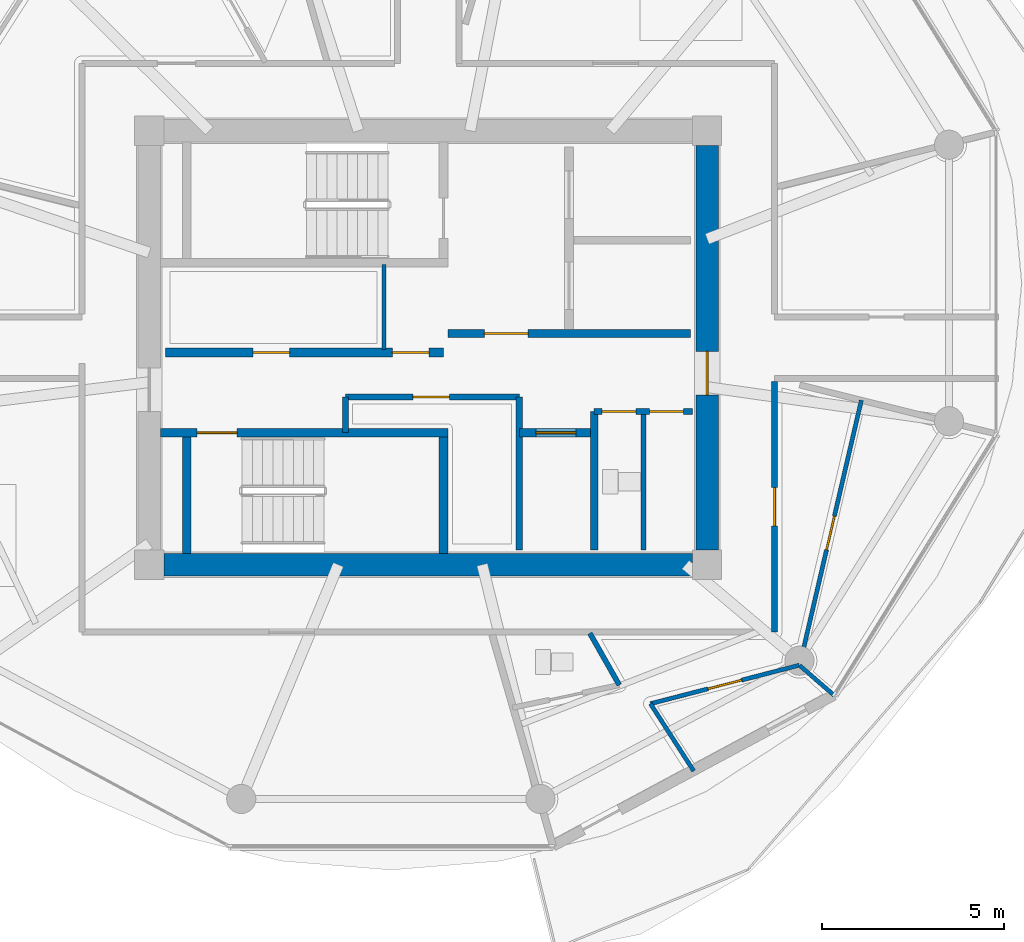
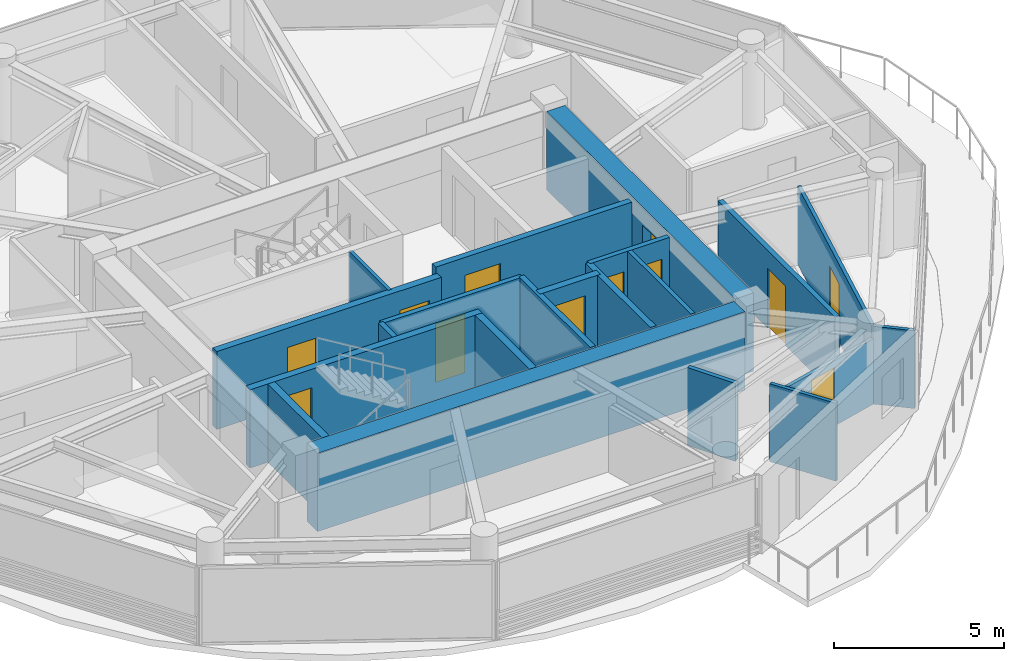
# One storey, part 16 of 25: 21 walls, 12 doors, 12 openings.
"""IFC4 building model written with IfcOpenShell, lengths in metres."""

from ifc_helpers import new_model, si_unit, direction, frame, frame_2d, origin, place, context, subcontext, project, spatial, rectangle, extrude, source, transform, mapped, material, layer, layer_set, type_object, type_shapes, element, fill, save


model = new_model("IFC4")

# Units and contexts
model_context = context("Model", 3, precision=1e-05, world=origin(), true_north=direction((0.0, 1.0)))
body_context = subcontext(model_context, "Body", "Model", "MODEL_VIEW")
ifc_project = project(units=[si_unit("LENGTHUNIT", "METRE"), si_unit("AREAUNIT", "SQUARE_METRE"), si_unit("VOLUMEUNIT", "CUBIC_METRE"), si_unit("PLANEANGLEUNIT", "RADIAN"), si_unit("MASSUNIT", "GRAM", prefix="KILO")], contexts=[model_context])

# Site, building, storey
site_placement = place(None, origin())
site = spatial("IfcSite", under=ifc_project, at=site_placement, CompositionType="ELEMENT")
building_placement = place(site_placement, origin())
building = spatial("IfcBuilding", under=site, at=building_placement, Name="Norrkilde Senior Care Towers", CompositionType="ELEMENT")
storey_placement = place(building_placement, frame((0.0, 0.0, 161.75)))
storey = spatial("IfcBuildingStorey", under=building, at=storey_placement, Name="L50", CompositionType="ELEMENT", Elevation=161.75)

# Wall
ifc_material_1 = material(Name="Concrete C50/60", Category="concrete")
ifc_layer_1 = layer(ifc_material_1, 0.6201171875)
ifc_layer_set_1 = layer_set([ifc_layer_1], Name="Concrete C50/60")
wall_type_1 = type_object("IfcWallType", Name="Core Shear Wall Z3 620", PredefinedType="SHEAR", material=ifc_layer_set_1)
shared_shape_1 = source(origin(), body_context, "Body", "SweptSolid", [
    extrude(rectangle(XDim=14.5, YDim=0.6201171875, at=frame_2d((7.25, 0.0))), origin(), (0.0, 0.0, 1.0), 2.81005859375),
])
wall_1_placement = place(storey_placement, frame((35.25, -5.949951171875, 0.0), z_axis=(0.0, 0.0, 1.0), x_axis=(-1.0, 0.0, 0.0)))
element("IfcWall", 1, at=wall_1_placement, inside=storey, type_object=wall_type_1, Name="L50 Core E South Shear Wall", PredefinedType="SHEAR", context=body_context, shape_type="MappedRepresentation", body=[
    mapped(shared_shape_1, transform((0.0, 0.0, 0.0), x_axis=(1.0, 0.0, 0.0), y_axis=(0.0, 1.0, 0.0), z_axis=(0.0, 0.0, 1.0), scale=1.0)),
])

# Wall, opening, door
shared_shape_2 = source(origin(), body_context, "Body", "SweptSolid", [
    extrude(rectangle(XDim=11.10009765625, YDim=0.6201171875, at=frame_2d((5.550048828125, 0.0))), origin(), (0.0, 0.0, 1.0), 2.81005859375),
])
type_shapes(wall_type_1, [shared_shape_1, shared_shape_2])
wall_2_placement = place(storey_placement, frame((35.64990234375, 5.550048828125, 0.0), z_axis=(0.0, 0.0, 1.0), x_axis=(0.0, -1.0, 0.0)))
wall_2 = element("IfcWall", 2, at=wall_2_placement, inside=storey, type_object=wall_type_1, Name="L50 Core E East Shear Wall", PredefinedType="SHEAR", context=body_context, shape_type="MappedRepresentation", body=[
    mapped(shared_shape_2, transform((0.0, 0.0, 0.0), x_axis=(1.0, 0.0, 0.0), y_axis=(0.0, 1.0, 0.0), z_axis=(0.0, 0.0, 1.0), scale=1.0)),
])
opening_1_placement = place(wall_2_placement, frame((5.64990234375, 0.0, 0.0)))
opening_1 = element("IfcOpeningElement", 3, at=opening_1_placement, cuts=wall_2, Name="Opening D-04", PredefinedType="OPENING", context=body_context, shape_type="SweptSolid", body=[
    extrude(rectangle(XDim=1.199951171875, YDim=2.14990234375, at=frame_2d((0.60009765625, 1.074951171875))), frame((0.0, 0.320068359375, 0.0), z_axis=(0.0, -1.0, 0.0), x_axis=(1.0, 0.0, 0.0)), (0.0, 0.0, 1.0), 0.64013671875),
])
ifc_material_2 = material(Name="Galvanised Painted Steel", Category="steel")
door_type_1 = type_object("IfcDoorType", Name="Firefighting Lobby Fire Door 1200x2150", OperationType="NOTDEFINED", PredefinedType="DOOR", material=ifc_material_2)
shared_shape_3 = source(origin(), body_context, "Body", "SweptSolid", [
    extrude(rectangle(XDim=1.199951171875, YDim=2.14990234375, at=frame_2d((0.60009765625, 1.074951171875))), frame((0.0, 0.02490234375, 0.0), z_axis=(0.0, -1.0, 0.0), x_axis=(1.0, 0.0, 0.0)), (0.0, 0.0, 1.0), 0.050048828125),
])
type_shapes(door_type_1, [shared_shape_3])
door_1_placement = place(opening_1_placement, frame((1.199951171875, 0.0, 0.0), z_axis=(0.0, 0.0, 1.0), x_axis=(-1.0, 0.0, 0.0)))
door_1 = element("IfcDoor", 4, at=door_1_placement, inside=storey, type_object=door_type_1, Name="L50 Core E East Portal Door", OperationType="SINGLE_SWING_RIGHT", OverallHeight=2.14990234375, OverallWidth=1.199951171875, PredefinedType="DOOR", context=body_context, shape_type="MappedRepresentation", body=[
    mapped(shared_shape_3, transform((0.0, 0.0, 0.0), x_axis=(1.0, 0.0, 0.0), y_axis=(0.0, 1.0, 0.0), z_axis=(0.0, 0.0, 1.0), scale=1.0)),
])
fill(opening_1, door_1)

ifc_material_3 = material(Name="Concrete C45/55", Category="concrete")
ifc_layer_2 = layer(ifc_material_3, 0.239990234375)
ifc_layer_set_2 = layer_set([ifc_layer_2], Name="Concrete C45/55")
wall_type_2 = type_object("IfcWallType", Name="Shaft and Stair Enclosure Wall 240", PredefinedType="PARTITIONING", material=ifc_layer_set_2)
shared_shape_4 = source(origin(), body_context, "Body", "SweptSolid", [
    extrude(rectangle(XDim=7.880126953125, YDim=0.239990234375, at=frame_2d((3.93994140625, 0.0))), origin(), (0.0, 0.0, 1.0), 2.81005859375),
])
wall_3_placement = place(storey_placement, frame((20.659912109375, -2.330078125, 0.0), z_axis=(0.0, 0.0, 1.0), x_axis=(1.0, 0.0, 0.0)))
wall_3 = element("IfcWall", 5, at=wall_3_placement, inside=storey, type_object=wall_type_2, Name="WL-INT-L50-E-ST2N", PredefinedType="PARTITIONING", context=body_context, shape_type="MappedRepresentation", body=[
    mapped(shared_shape_4, transform((0.0, 0.0, 0.0), x_axis=(1.0, 0.0, 0.0), y_axis=(0.0, 1.0, 0.0), z_axis=(0.0, 0.0, 1.0), scale=1.0)),
])
opening_2_placement = place(wall_3_placement, frame((1.0, 0.0, 0.0)))
opening_2 = element("IfcOpeningElement", 6, at=opening_2_placement, cuts=wall_3, Name="Opening D-03", PredefinedType="OPENING", context=body_context, shape_type="SweptSolid", body=[
    extrude(rectangle(XDim=1.10009765625, YDim=2.14990234375, at=frame_2d((0.550048828125, 1.074951171875))), frame((0.0, 0.1298828125, 0.0), z_axis=(0.0, -1.0, 0.0), x_axis=(1.0, 0.0, 0.0)), (0.0, 0.0, 1.0), 0.260009765625),
])
door_type_2 = type_object("IfcDoorType", Name="Stairwell Protected Fire Door 1100x2150", OperationType="NOTDEFINED", PredefinedType="DOOR", material=ifc_material_2)
shared_shape_5 = source(origin(), body_context, "Body", "SweptSolid", [
    extrude(rectangle(XDim=1.10009765625, YDim=2.14990234375, at=frame_2d((0.550048828125, 1.074951171875))), frame((0.0, 0.02490234375, 0.0), z_axis=(0.0, -1.0, 0.0), x_axis=(1.0, 0.0, 0.0)), (0.0, 0.0, 1.0), 0.050048828125),
])
type_shapes(door_type_2, [shared_shape_5])
door_2_placement = place(opening_2_placement, frame((1.10009765625, 0.0, 0.0), z_axis=(0.0, 0.0, 1.0), x_axis=(-1.0, 0.0, 0.0)))
door_2 = element("IfcDoor", 7, at=door_2_placement, inside=storey, type_object=door_type_2, Name="L50 Stair E2 Fire Door", OperationType="SINGLE_SWING_RIGHT", OverallHeight=2.14990234375, OverallWidth=1.10009765625, PredefinedType="DOOR", context=body_context, shape_type="MappedRepresentation", body=[
    mapped(shared_shape_5, transform((0.0, 0.0, 0.0), x_axis=(1.0, 0.0, 0.0), y_axis=(0.0, 1.0, 0.0), z_axis=(0.0, 0.0, 1.0), scale=1.0)),
])
fill(opening_2, door_2)

# Walls
shared_shape_6 = source(origin(), body_context, "Body", "SweptSolid", [
    extrude(rectangle(XDim=3.18994140625, YDim=0.239990234375, at=frame_2d((1.594970703125, 0.0))), origin(), (0.0, 0.0, 1.0), 2.81005859375),
])
type_shapes(wall_type_2, [shared_shape_4, shared_shape_6])
for number, where, z_axis, x_axis, name in (
    (8, (21.3798828125, -5.639892578125, 0.0), (0.0, 0.0, 1.0), (0.0, 1.0, 0.0), "WL-INT-L50-E-ST2W"),
    (9, (28.419921875, -5.639892578125, 0.0), (0.0, 0.0, 1.0), (0.0, 1.0, 0.0), "WL-INT-L50-E-ST2E"),
):
    element("IfcWall", number, at=place(storey_placement, frame(where, z_axis=z_axis, x_axis=x_axis)), inside=storey, type_object=wall_type_2, Name=name, PredefinedType="PARTITIONING", context=body_context, shape_type="MappedRepresentation", body=[
        mapped(shared_shape_6, transform((0.0, 0.0, 0.0), x_axis=(1.0, 0.0, 0.0), y_axis=(0.0, 1.0, 0.0), z_axis=(0.0, 0.0, 1.0), scale=1.0)),
    ])

# Wall, opening, door
ifc_layer_3 = layer(ifc_material_3, 0.2099609375)
ifc_layer_set_3 = layer_set([ifc_layer_3], Name="Concrete C45/55")
wall_type_3 = type_object("IfcWallType", Name="Firefighting Lobby Wall 210", PredefinedType="PARTITIONING", material=ifc_layer_set_3)
shared_shape_7 = source(origin(), body_context, "Body", "SweptSolid", [
    extrude(rectangle(XDim=6.659912109375, YDim=0.2099609375, at=frame_2d((3.330078125, 0.0))), origin(), (0.0, 0.0, 1.0), 2.794921875),
])
type_shapes(wall_type_3, [shared_shape_7])
wall_4_placement = place(storey_placement, frame((28.5400390625, 0.389892578125, 0.0), z_axis=(0.0, 0.0, 1.0), x_axis=(1.0, 0.0, 0.0)))
wall_4 = element("IfcWall", 10, at=wall_4_placement, inside=storey, type_object=wall_type_3, Name="WL-INT-L50-E-FFLS", PredefinedType="PARTITIONING", context=body_context, shape_type="MappedRepresentation", body=[
    mapped(shared_shape_7, transform((0.0, 0.0, 0.0), x_axis=(1.0, 0.0, 0.0), y_axis=(0.0, 1.0, 0.0), z_axis=(0.0, 0.0, 1.0), scale=1.0)),
])
opening_3_placement = place(wall_4_placement, frame((1.0, 0.0, 0.0)))
opening_3 = element("IfcOpeningElement", 11, at=opening_3_placement, cuts=wall_4, Name="Opening D-04", PredefinedType="OPENING", context=body_context, shape_type="SweptSolid", body=[
    extrude(rectangle(XDim=1.199951171875, YDim=2.14990234375, at=frame_2d((0.60009765625, 1.074951171875))), frame((0.0, 0.114990234375, 0.0), z_axis=(0.0, -1.0, 0.0), x_axis=(1.0, 0.0, 0.0)), (0.0, 0.0, 1.0), 0.22998046875),
])
door_3_placement = place(opening_3_placement, frame((1.199951171875, 0.0, 0.0), z_axis=(0.0, 0.0, 1.0), x_axis=(-1.0, 0.0, 0.0)))
door_3 = element("IfcDoor", 12, at=door_3_placement, inside=storey, type_object=door_type_1, Name="L50 Firefighting Lobby E Door", OperationType="SINGLE_SWING_LEFT", OverallHeight=2.14990234375, OverallWidth=1.199951171875, PredefinedType="DOOR", context=body_context, shape_type="MappedRepresentation", body=[
    mapped(shared_shape_3, transform((0.0, 0.0, 0.0), x_axis=(1.0, 0.0, 0.0), y_axis=(0.0, 1.0, 0.0), z_axis=(0.0, 0.0, 1.0), scale=1.0)),
])
fill(opening_3, door_3)

# Wall, openings, doors
ifc_layer_4 = layer(ifc_material_3, 0.239990234375)
ifc_layer_set_4 = layer_set([ifc_layer_4], Name="Concrete C45/55")
wall_type_4 = type_object("IfcWallType", Name="Lift and Plant Rated Enclosure Partition 240", PredefinedType="PARTITIONING", material=ifc_layer_set_4)
shared_shape_8 = source(origin(), body_context, "Body", "SweptSolid", [
    extrude(rectangle(XDim=7.619873046875, YDim=0.239990234375, at=frame_2d((3.81005859375, 0.0))), origin(), (0.0, 0.0, 1.0), 2.794921875),
])
wall_5_placement = place(storey_placement, frame((20.800048828125, -0.1298828125, 0.0), z_axis=(0.0, 0.0, 1.0), x_axis=(1.0, 0.0, 0.0)))
wall_5 = element("IfcWall", 13, at=wall_5_placement, inside=storey, type_object=wall_type_4, Name="WL-INT-L50-E-PKAS", PredefinedType="PARTITIONING", context=body_context, shape_type="MappedRepresentation", body=[
    mapped(shared_shape_8, transform((0.0, 0.0, 0.0), x_axis=(1.0, 0.0, 0.0), y_axis=(0.0, 1.0, 0.0), z_axis=(0.0, 0.0, 1.0), scale=1.0)),
])
opening_4_placement = place(wall_5_placement, frame((6.219970703125, 0.0, 0.0)))
opening_4 = element("IfcOpeningElement", 14, at=opening_4_placement, cuts=wall_5, Name="Opening D-10", PredefinedType="OPENING", context=body_context, shape_type="SweptSolid", body=[
    extrude(rectangle(XDim=1.0, YDim=2.10009765625, at=frame_2d((0.5, 1.050048828125))), frame((0.0, 0.1298828125, 0.0), z_axis=(0.0, -1.0, 0.0), x_axis=(1.0, 0.0, 0.0)), (0.0, 0.0, 1.0), 0.260009765625),
])
opening_5_placement = place(wall_5_placement, frame((2.39990234375, 0.0, 0.0)))
opening_5 = element("IfcOpeningElement", 15, at=opening_5_placement, cuts=wall_5, Name="Opening D-10", PredefinedType="OPENING", context=body_context, shape_type="SweptSolid", body=[
    extrude(rectangle(XDim=1.0, YDim=2.10009765625, at=frame_2d((0.5, 1.050048828125))), frame((0.0, 0.1298828125, 0.0), z_axis=(0.0, -1.0, 0.0), x_axis=(1.0, 0.0, 0.0)), (0.0, 0.0, 1.0), 0.260009765625),
])
door_type_3 = type_object("IfcDoorType", Name="Plant and Riser Rated Door 1000x2100", OperationType="NOTDEFINED", PredefinedType="DOOR", material=ifc_material_2)
shared_shape_9 = source(origin(), body_context, "Body", "SweptSolid", [
    extrude(rectangle(XDim=1.0, YDim=2.10009765625, at=frame_2d((0.5, 1.050048828125))), frame((0.0, 0.02490234375, 0.0), z_axis=(0.0, -1.0, 0.0), x_axis=(1.0, 0.0, 0.0)), (0.0, 0.0, 1.0), 0.050048828125),
])
type_shapes(door_type_3, [shared_shape_9])
door_4_placement = place(opening_4_placement, frame((1.0, 0.0, 0.0), z_axis=(0.0, 0.0, 1.0), x_axis=(-1.0, 0.0, 0.0)))
door_4 = element("IfcDoor", 16, at=door_4_placement, inside=storey, type_object=door_type_3, Name="L50 Electrical Riser E Door", OperationType="SINGLE_SWING_LEFT", OverallHeight=2.10009765625, OverallWidth=1.0, PredefinedType="DOOR", context=body_context, shape_type="MappedRepresentation", body=[
    mapped(shared_shape_9, transform((0.0, 0.0, 0.0), x_axis=(1.0, 0.0, 0.0), y_axis=(0.0, 1.0, 0.0), z_axis=(0.0, 0.0, 1.0), scale=1.0)),
])
fill(opening_4, door_4)
door_5_placement = place(opening_5_placement, frame((1.0, 0.0, 0.0), z_axis=(0.0, 0.0, 1.0), x_axis=(-1.0, 0.0, 0.0)))
door_5 = element("IfcDoor", 17, at=door_5_placement, inside=storey, type_object=door_type_3, Name="L50 Clean Supply Store E Door", OperationType="SINGLE_SWING_LEFT", OverallHeight=2.10009765625, OverallWidth=1.0, PredefinedType="DOOR", context=body_context, shape_type="MappedRepresentation", body=[
    mapped(shared_shape_9, transform((0.0, 0.0, 0.0), x_axis=(1.0, 0.0, 0.0), y_axis=(0.0, 1.0, 0.0), z_axis=(0.0, 0.0, 1.0), scale=1.0)),
])
fill(opening_5, door_5)

# Walls
ifc_material_4 = material(Name="Gypsum Acoustic Board")
ifc_layer_5 = layer(ifc_material_4, 0.114990234375)
ifc_layer_set_5 = layer_set([ifc_layer_5], Name="Gypsum Acoustic Board")
wall_type_5 = type_object("IfcWallType", Name="Internal Room Partition 115", PredefinedType="PARTITIONING", material=ifc_layer_set_5)
shared_shape_10 = source(origin(), body_context, "Body", "SweptSolid", [
    extrude(rectangle(XDim=2.330078125, YDim=0.114990234375, at=frame_2d((1.1650390625, 0.0))), origin(), (0.0, 0.0, 1.0), 2.794921875),
])
wall_6_placement = place(storey_placement, frame((26.7900390625, -0.050048828125, 0.0), z_axis=(0.0, 0.0, 1.0), x_axis=(0.0, 1.0, 0.0)))
element("IfcWall", 18, at=wall_6_placement, inside=storey, type_object=wall_type_5, Name="WL-INT-L50-E-RISW", PredefinedType="PARTITIONING", context=body_context, shape_type="MappedRepresentation", body=[
    mapped(shared_shape_10, transform((0.0, 0.0, 0.0), x_axis=(1.0, 0.0, 0.0), y_axis=(0.0, 1.0, 0.0), z_axis=(0.0, 0.0, 1.0), scale=1.0)),
])
ifc_layer_6 = layer(ifc_material_3, 0.199951171875)
ifc_layer_set_6 = layer_set([ifc_layer_6], Name="Concrete C45/55")
wall_type_6 = type_object("IfcWallType", Name="Shaft Division and Plant Partition 200", PredefinedType="PARTITIONING", material=ifc_layer_set_6)
shared_shape_11 = source(origin(), body_context, "Body", "SweptSolid", [
    extrude(rectangle(XDim=3.800048828125, YDim=0.199951171875, at=frame_2d((1.89990234375, 0.0))), origin(), (0.0, 0.0, 1.0), 2.794921875),
])
type_shapes(wall_type_6, [shared_shape_11])
wall_7_placement = place(storey_placement, frame((32.550048828125, -5.550048828125, 0.0), z_axis=(0.0, 0.0, 1.0), x_axis=(0.0, 1.0, 0.0)))
element("IfcWall", 19, at=wall_7_placement, inside=storey, type_object=wall_type_6, Name="WL-INT-L50-E-PKBE", PredefinedType="PARTITIONING", context=body_context, shape_type="MappedRepresentation", body=[
    mapped(shared_shape_11, transform((0.0, 0.0, 0.0), x_axis=(1.0, 0.0, 0.0), y_axis=(0.0, 1.0, 0.0), z_axis=(0.0, 0.0, 1.0), scale=1.0)),
])

# Wall, openings, doors
ifc_layer_7 = layer(ifc_material_4, 0.1650390625)
ifc_layer_set_7 = layer_set([ifc_layer_7], Name="Gypsum Acoustic Board")
wall_type_7 = type_object("IfcWallType", Name="Corridor Rated Partition 165", PredefinedType="PARTITIONING", material=ifc_layer_set_7)
shared_shape_12 = source(origin(), body_context, "Body", "SweptSolid", [
    extrude(rectangle(XDim=2.699951171875, YDim=0.1650390625, at=frame_2d((1.35009765625, 0.0))), origin(), (0.0, 0.0, 1.0), 2.794921875),
])
wall_8_placement = place(storey_placement, frame((32.550048828125, -1.75, 0.0), z_axis=(0.0, 0.0, 1.0), x_axis=(1.0, 0.0, 0.0)))
wall_8 = element("IfcWall", 20, at=wall_8_placement, inside=storey, type_object=wall_type_7, Name="WL-INT-L50-E-CSN", PredefinedType="PARTITIONING", context=body_context, shape_type="MappedRepresentation", body=[
    mapped(shared_shape_12, transform((0.0, 0.0, 0.0), x_axis=(1.0, 0.0, 0.0), y_axis=(0.0, 1.0, 0.0), z_axis=(0.0, 0.0, 1.0), scale=1.0)),
])
opening_6_placement = place(wall_8_placement, frame((0.222412109375, 0.0, 0.0)))
opening_6 = element("IfcOpeningElement", 21, at=opening_6_placement, cuts=wall_8, Name="Opening D-12", PredefinedType="OPENING", context=body_context, shape_type="SweptSolid", body=[
    extrude(rectangle(XDim=0.925048828125, YDim=2.10009765625, at=frame_2d((0.46240234375, 1.050048828125))), frame((0.0, 0.092529296875, 0.0), z_axis=(0.0, -1.0, 0.0), x_axis=(1.0, 0.0, 0.0)), (0.0, 0.0, 1.0), 0.18505859375),
])
opening_7_placement = place(wall_8_placement, frame((1.5224609375, 0.0, 0.0)))
opening_7 = element("IfcOpeningElement", 22, at=opening_7_placement, cuts=wall_8, Name="Opening D-12", PredefinedType="OPENING", context=body_context, shape_type="SweptSolid", body=[
    extrude(rectangle(XDim=0.925048828125, YDim=2.10009765625, at=frame_2d((0.46240234375, 1.050048828125))), frame((0.0, 0.092529296875, 0.0), z_axis=(0.0, -1.0, 0.0), x_axis=(1.0, 0.0, 0.0)), (0.0, 0.0, 1.0), 0.18505859375),
])
door_type_4 = type_object("IfcDoorType", Name="Core Wet Room Rated Door 925x2100", OperationType="NOTDEFINED", PredefinedType="DOOR", material=ifc_material_2)
shared_shape_13 = source(origin(), body_context, "Body", "SweptSolid", [
    extrude(rectangle(XDim=0.925048828125, YDim=2.10009765625, at=frame_2d((0.46240234375, 1.050048828125))), frame((0.0, 0.02490234375, 0.0), z_axis=(0.0, -1.0, 0.0), x_axis=(1.0, 0.0, 0.0)), (0.0, 0.0, 1.0), 0.050048828125),
])
type_shapes(door_type_4, [shared_shape_13])
door_6_placement = place(opening_6_placement, origin())
door_6 = element("IfcDoor", 23, at=door_6_placement, inside=storey, type_object=door_type_4, Name="L50 Staff Accessible WC E Door", OperationType="SINGLE_SWING_LEFT", OverallHeight=2.10009765625, OverallWidth=0.925048828125, PredefinedType="DOOR", context=body_context, shape_type="MappedRepresentation", body=[
    mapped(shared_shape_13, transform((0.0, 0.0, 0.0), x_axis=(1.0, 0.0, 0.0), y_axis=(0.0, 1.0, 0.0), z_axis=(0.0, 0.0, 1.0), scale=1.0)),
])
fill(opening_6, door_6)
door_7_placement = place(opening_7_placement, origin())
door_7 = element("IfcDoor", 24, at=door_7_placement, inside=storey, type_object=door_type_4, Name="L50 Housekeeping Store E Door", OperationType="SINGLE_SWING_RIGHT", OverallHeight=2.10009765625, OverallWidth=0.925048828125, PredefinedType="DOOR", context=body_context, shape_type="MappedRepresentation", body=[
    mapped(shared_shape_13, transform((0.0, 0.0, 0.0), x_axis=(1.0, 0.0, 0.0), y_axis=(0.0, 1.0, 0.0), z_axis=(0.0, 0.0, 1.0), scale=1.0)),
])
fill(opening_7, door_7)

# Wall
ifc_layer_8 = layer(ifc_material_4, 0.139892578125)
ifc_layer_set_8 = layer_set([ifc_layer_8], Name="Gypsum Acoustic Board")
wall_type_8 = type_object("IfcWallType", Name="En-suite Wet Room Wall 140", PredefinedType="PARTITIONING", material=ifc_layer_set_8)
shared_shape_14 = source(origin(), body_context, "Body", "SweptSolid", [
    extrude(rectangle(XDim=3.800048828125, YDim=0.139892578125, at=frame_2d((1.89990234375, 0.0))), origin(), (0.0, 0.0, 1.0), 2.794921875),
])
wall_9_placement = place(storey_placement, frame((33.89990234375, -5.550048828125, 0.0), z_axis=(0.0, 0.0, 1.0), x_axis=(0.0, 1.0, 0.0)))
element("IfcWall", 25, at=wall_9_placement, inside=storey, type_object=wall_type_8, Name="WL-INT-L50-E-CS1V", PredefinedType="PARTITIONING", context=body_context, shape_type="MappedRepresentation", body=[
    mapped(shared_shape_14, transform((0.0, 0.0, 0.0), x_axis=(1.0, 0.0, 0.0), y_axis=(0.0, 1.0, 0.0), z_axis=(0.0, 0.0, 1.0), scale=1.0)),
])

# Wall, opening, door
shared_shape_15 = source(origin(), body_context, "Body", "SweptSolid", [
    extrude(rectangle(XDim=4.2177734375, YDim=0.114990234375, at=frame_2d((2.10888671875, 0.0))), origin(), (0.0, 0.0, 1.0), 2.344970703125),
])
wall_10_placement = place(storey_placement, frame((34.095458984375, -9.763671875, 0.0), z_axis=(0.0, 0.0, 1.0), x_axis=(0.968124892577, 0.250467946797, 0.0)))
wall_10 = element("IfcWall", 26, at=wall_10_placement, inside=storey, type_object=wall_type_5, Name="WL-INT-L50-E-UKTF-09", PredefinedType="PARTITIONING", context=body_context, shape_type="MappedRepresentation", body=[
    mapped(shared_shape_15, transform((0.0, 0.0, 0.0), x_axis=(1.0, 0.0, 0.0), y_axis=(0.0, 1.0, 0.0), z_axis=(0.0, 0.0, 1.0), scale=1.0)),
])
opening_8_placement = place(wall_10_placement, frame((1.6337890625, 0.0, 0.0)))
opening_8 = element("IfcOpeningElement", 27, at=opening_8_placement, cuts=wall_10, Name="Opening D-07", PredefinedType="OPENING", context=body_context, shape_type="SweptSolid", body=[
    extrude(rectangle(XDim=0.949951171875, YDim=2.10009765625, at=frame_2d((0.47509765625, 1.050048828125))), frame((0.0, 0.0673828125, 0.0), z_axis=(0.0, -1.0, 0.0), x_axis=(1.0, 0.0, 0.0)), (0.0, 0.0, 1.0), 0.135009765625),
])
ifc_material_5 = material(Name="Nordic Ash Timber", Category="wood")
door_type_5 = type_object("IfcDoorType", Name="Internal Suite Bedroom Door 950x2100", OperationType="NOTDEFINED", PredefinedType="DOOR", material=ifc_material_5)
shared_shape_16 = source(origin(), body_context, "Body", "SweptSolid", [
    extrude(rectangle(XDim=0.949951171875, YDim=2.10009765625, at=frame_2d((0.47509765625, 1.050048828125))), frame((0.0, 0.02490234375, 0.0), z_axis=(0.0, -1.0, 0.0), x_axis=(1.0, 0.0, 0.0)), (0.0, 0.0, 1.0), 0.050048828125),
])
type_shapes(door_type_5, [shared_shape_16])
door_8_placement = place(opening_8_placement, frame((0.949951171875, 0.0, 0.0), z_axis=(0.0, 0.0, 1.0), x_axis=(-1.0, 0.0, 0.0)))
door_8 = element("IfcDoor", 28, at=door_8_placement, inside=storey, type_object=door_type_5, Name="Apartment 50D Kitchen Door", OperationType="SINGLE_SWING_RIGHT", OverallHeight=2.10009765625, OverallWidth=0.949951171875, PredefinedType="DOOR", context=body_context, shape_type="MappedRepresentation", body=[
    mapped(shared_shape_16, transform((0.0, 0.0, 0.0), x_axis=(1.0, 0.0, 0.0), y_axis=(0.0, 1.0, 0.0), z_axis=(0.0, 0.0, 1.0), scale=1.0)),
])
fill(opening_8, door_8)

shared_shape_17 = source(origin(), body_context, "Body", "SweptSolid", [
    extrude(rectangle(XDim=2.050048828125, YDim=0.239990234375, at=frame_2d((1.02490234375, 0.0))), origin(), (0.0, 0.0, 1.0), 2.794921875),
])
type_shapes(wall_type_4, [shared_shape_8, shared_shape_17])
wall_11_placement = place(storey_placement, frame((30.5, -2.330078125, 0.0), z_axis=(0.0, 0.0, 1.0), x_axis=(1.0, 0.0, 0.0)))
wall_11 = element("IfcWall", 29, at=wall_11_placement, inside=storey, type_object=wall_type_4, Name="WL-INT-L50-E-PL4N", PredefinedType="PARTITIONING", context=body_context, shape_type="MappedRepresentation", body=[
    mapped(shared_shape_17, transform((0.0, 0.0, 0.0), x_axis=(1.0, 0.0, 0.0), y_axis=(0.0, 1.0, 0.0), z_axis=(0.0, 0.0, 1.0), scale=1.0)),
])
opening_9_placement = place(wall_11_placement, frame((0.449951171875, 0.0, 0.0)))
opening_9 = element("IfcOpeningElement", 30, at=opening_9_placement, cuts=wall_11, Name="Opening LD-01", PredefinedType="OPENING", context=body_context, shape_type="SweptSolid", body=[
    extrude(rectangle(XDim=1.10009765625, YDim=2.199951171875, at=frame_2d((0.550048828125, 1.10009765625))), frame((0.0, 0.1298828125, 0.0), z_axis=(0.0, -1.0, 0.0), x_axis=(1.0, 0.0, 0.0)), (0.0, 0.0, 1.0), 0.260009765625),
])
ifc_material_6 = material(Name="Stainless Steel", Category="steel")
door_type_6 = type_object("IfcDoorType", Name="Lift Landing Sliding Door 1100x2200", OperationType="NOTDEFINED", PredefinedType="DOOR", material=ifc_material_6)
shared_shape_18 = source(origin(), body_context, "Body", "SweptSolid", [
    extrude(rectangle(XDim=1.10009765625, YDim=2.199951171875, at=frame_2d((0.550048828125, 1.10009765625))), frame((0.0, 0.02490234375, 0.0), z_axis=(0.0, -1.0, 0.0), x_axis=(1.0, 0.0, 0.0)), (0.0, 0.0, 1.0), 0.050048828125),
])
type_shapes(door_type_6, [shared_shape_18])
door_9_placement = place(opening_9_placement, frame((1.10009765625, 0.0, 0.0), z_axis=(0.0, 0.0, 1.0), x_axis=(-1.0, 0.0, 0.0)))
door_9 = element("IfcDoor", 31, at=door_9_placement, inside=storey, type_object=door_type_6, Name="L50 Passenger Lift E4 Landing Door", OperationType="SLIDING_TO_RIGHT", OverallHeight=2.199951171875, OverallWidth=1.10009765625, PredefinedType="DOOR", context=body_context, shape_type="MappedRepresentation", body=[
    mapped(shared_shape_18, transform((0.0, 0.0, 0.0), x_axis=(1.0, 0.0, 0.0), y_axis=(0.0, 1.0, 0.0), z_axis=(0.0, 0.0, 1.0), scale=1.0)),
])
fill(opening_9, door_9)

# Wall
ifc_layer_9 = layer(ifc_material_3, 0.179931640625)
ifc_layer_set_9 = layer_set([ifc_layer_9], Name="Concrete C45/55")
wall_type_9 = type_object("IfcWallType", Name="Hoistway Division Rated Partition 180", PredefinedType="PARTITIONING", material=ifc_layer_set_9)
shared_shape_19 = source(origin(), body_context, "Body", "SweptSolid", [
    extrude(rectangle(XDim=4.199951171875, YDim=0.179931640625, at=frame_2d((2.10009765625, 0.0))), origin(), (0.0, 0.0, 1.0), 2.794921875),
])
type_shapes(wall_type_9, [shared_shape_19])
wall_12_placement = place(storey_placement, frame((30.5, -5.550048828125, 0.0), z_axis=(0.0, 0.0, 1.0), x_axis=(0.0, 1.0, 0.0)))
element("IfcWall", 32, at=wall_12_placement, inside=storey, type_object=wall_type_9, Name="WL-INT-L50-E-PL4W", PredefinedType="PARTITIONING", context=body_context, shape_type="MappedRepresentation", body=[
    mapped(shared_shape_19, transform((0.0, 0.0, 0.0), x_axis=(1.0, 0.0, 0.0), y_axis=(0.0, 1.0, 0.0), z_axis=(0.0, 0.0, 1.0), scale=1.0)),
])

# Wall, opening, door
shared_shape_20 = source(origin(), body_context, "Body", "SweptSolid", [
    extrude(rectangle(XDim=4.77001953125, YDim=0.1650390625, at=frame_2d((2.385009765625, 0.0))), origin(), (0.0, 0.0, 1.0), 2.794921875),
])
wall_13_placement = place(storey_placement, frame((25.72998046875, -1.35009765625, 0.0), z_axis=(0.0, 0.0, 1.0), x_axis=(1.0, 0.0, 0.0)))
wall_13 = element("IfcWall", 33, at=wall_13_placement, inside=storey, type_object=wall_type_7, Name="WL-INT-L50-E-FR2N", PredefinedType="PARTITIONING", context=body_context, shape_type="MappedRepresentation", body=[
    mapped(shared_shape_20, transform((0.0, 0.0, 0.0), x_axis=(1.0, 0.0, 0.0), y_axis=(0.0, 1.0, 0.0), z_axis=(0.0, 0.0, 1.0), scale=1.0)),
])
opening_10_placement = place(wall_13_placement, frame((1.85009765625, 0.0, 0.0)))
opening_10 = element("IfcOpeningElement", 34, at=opening_10_placement, cuts=wall_13, Name="Opening D-10", PredefinedType="OPENING", context=body_context, shape_type="SweptSolid", body=[
    extrude(rectangle(XDim=1.0, YDim=2.10009765625, at=frame_2d((0.5, 1.050048828125))), frame((0.0, 0.092529296875, 0.0), z_axis=(0.0, -1.0, 0.0), x_axis=(1.0, 0.0, 0.0)), (0.0, 0.0, 1.0), 0.18505859375),
])
door_10_placement = place(opening_10_placement, origin())
door_10 = element("IfcDoor", 35, at=door_10_placement, inside=storey, type_object=door_type_3, Name="L50 Core Pantry E Door", OperationType="SINGLE_SWING_RIGHT", OverallHeight=2.10009765625, OverallWidth=1.0, PredefinedType="DOOR", context=body_context, shape_type="MappedRepresentation", body=[
    mapped(shared_shape_9, transform((0.0, 0.0, 0.0), x_axis=(1.0, 0.0, 0.0), y_axis=(0.0, 1.0, 0.0), z_axis=(0.0, 0.0, 1.0), scale=1.0)),
])
fill(opening_10, door_10)

# Wall
shared_shape_21 = source(origin(), body_context, "Body", "SweptSolid", [
    extrude(rectangle(XDim=0.97998046875, YDim=0.1650390625, at=frame_2d((0.489990234375, 0.0))), origin(), (0.0, 0.0, 1.0), 2.794921875),
])
wall_14_placement = place(storey_placement, frame((25.72998046875, -2.330078125, 0.0), z_axis=(0.0, 0.0, 1.0), x_axis=(0.0, 1.0, 0.0)))
element("IfcWall", 36, at=wall_14_placement, inside=storey, type_object=wall_type_7, Name="WL-INT-L50-E-FR2W", PredefinedType="PARTITIONING", context=body_context, shape_type="MappedRepresentation", body=[
    mapped(shared_shape_21, transform((0.0, 0.0, 0.0), x_axis=(1.0, 0.0, 0.0), y_axis=(0.0, 1.0, 0.0), z_axis=(0.0, 0.0, 1.0), scale=1.0)),
])

# Wall, opening, door
shared_shape_22 = source(origin(), body_context, "Body", "SweptSolid", [
    extrude(rectangle(XDim=6.880126953125, YDim=0.1650390625, at=frame_2d((3.43994140625, 0.0))), origin(), (0.0, 0.0, 1.0), 2.794921875),
])
type_shapes(wall_type_7, [shared_shape_12, shared_shape_20, shared_shape_21, shared_shape_22])
wall_15_placement = place(storey_placement, frame((37.5, -0.919921875, 0.0), z_axis=(0.0, 0.0, 1.0), x_axis=(0.0, -1.0, 0.0)))
wall_15 = element("IfcWall", 37, at=wall_15_placement, inside=storey, type_object=wall_type_7, Name="WL-INT-L50-E-CRW-E-1", PredefinedType="PARTITIONING", context=body_context, shape_type="MappedRepresentation", body=[
    mapped(shared_shape_22, transform((0.0, 0.0, 0.0), x_axis=(1.0, 0.0, 0.0), y_axis=(0.0, 1.0, 0.0), z_axis=(0.0, 0.0, 1.0), scale=1.0)),
])
opening_11_placement = place(wall_15_placement, frame((2.9150390625, 0.0, 0.0)))
opening_11 = element("IfcOpeningElement", 38, at=opening_11_placement, cuts=wall_15, Name="Opening D-06", PredefinedType="OPENING", context=body_context, shape_type="SweptSolid", body=[
    extrude(rectangle(XDim=1.050048828125, YDim=2.14990234375, at=frame_2d((0.52490234375, 1.074951171875))), frame((0.0, 0.092529296875, 0.0), z_axis=(0.0, -1.0, 0.0), x_axis=(1.0, 0.0, 0.0)), (0.0, 0.0, 1.0), 0.18505859375),
])
door_type_7 = type_object("IfcDoorType", Name="Apartment Entrance Fire Door 1050x2150", OperationType="NOTDEFINED", PredefinedType="DOOR", material=ifc_material_5)
shared_shape_23 = source(origin(), body_context, "Body", "SweptSolid", [
    extrude(rectangle(XDim=1.050048828125, YDim=2.14990234375, at=frame_2d((0.52490234375, 1.074951171875))), frame((0.0, 0.02490234375, 0.0), z_axis=(0.0, -1.0, 0.0), x_axis=(1.0, 0.0, 0.0)), (0.0, 0.0, 1.0), 0.050048828125),
])
type_shapes(door_type_7, [shared_shape_23])
door_11_placement = place(opening_11_placement, frame((1.050048828125, 0.0, 0.0), z_axis=(0.0, 0.0, 1.0), x_axis=(-1.0, 0.0, 0.0)))
door_11 = element("IfcDoor", 39, at=door_11_placement, inside=storey, type_object=door_type_7, Name="Apartment 50D Entrance Door", OperationType="SINGLE_SWING_RIGHT", OverallHeight=2.14990234375, OverallWidth=1.050048828125, PredefinedType="DOOR", context=body_context, shape_type="MappedRepresentation", body=[
    mapped(shared_shape_23, transform((0.0, 0.0, 0.0), x_axis=(1.0, 0.0, 0.0), y_axis=(0.0, 1.0, 0.0), z_axis=(0.0, 0.0, 1.0), scale=1.0)),
])
fill(opening_11, door_11)

shared_shape_24 = source(origin(), body_context, "Body", "SweptSolid", [
    extrude(rectangle(XDim=7.46875, YDim=0.114990234375, at=frame_2d((3.734375, 0.0))), origin(), (0.0, 0.0, 1.0), 2.794921875),
])
wall_16_placement = place(storey_placement, frame((38.1865234375, -8.714599609375, 0.0), z_axis=(0.0, 0.0, 1.0), x_axis=(0.226790420763, 0.973943584121, 0.0)))
wall_16 = element("IfcWall", 40, at=wall_16_placement, inside=storey, type_object=wall_type_5, Name="WL-INT-L50-E-UBC-09-1", PredefinedType="PARTITIONING", context=body_context, shape_type="MappedRepresentation", body=[
    mapped(shared_shape_24, transform((0.0, 0.0, 0.0), x_axis=(1.0, 0.0, 0.0), y_axis=(0.0, 1.0, 0.0), z_axis=(0.0, 0.0, 1.0), scale=1.0)),
])
opening_12_placement = place(wall_16_placement, frame((3.25927734375, 0.0, 0.0)))
opening_12 = element("IfcOpeningElement", 41, at=opening_12_placement, cuts=wall_16, Name="Opening D-07", PredefinedType="OPENING", context=body_context, shape_type="SweptSolid", body=[
    extrude(rectangle(XDim=0.949951171875, YDim=2.10009765625, at=frame_2d((0.47509765625, 1.050048828125))), frame((0.0, 0.0673828125, 0.0), z_axis=(0.0, -1.0, 0.0), x_axis=(1.0, 0.0, 0.0)), (0.0, 0.0, 1.0), 0.135009765625),
])
door_12_placement = place(opening_12_placement, origin())
door_12 = element("IfcDoor", 42, at=door_12_placement, inside=storey, type_object=door_type_5, Name="Apartment 50D Bedroom 1 Door", OperationType="SINGLE_SWING_LEFT", OverallHeight=2.10009765625, OverallWidth=0.949951171875, PredefinedType="DOOR", context=body_context, shape_type="MappedRepresentation", body=[
    mapped(shared_shape_16, transform((0.0, 0.0, 0.0), x_axis=(1.0, 0.0, 0.0), y_axis=(0.0, 1.0, 0.0), z_axis=(0.0, 0.0, 1.0), scale=1.0)),
])
fill(opening_12, door_12)

# Walls
shared_shape_25 = source(origin(), body_context, "Body", "SweptSolid", [
    extrude(rectangle(XDim=1.2578125, YDim=0.114990234375, at=frame_2d((0.62890625, 0.0))), origin(), (0.0, 0.0, 1.0), 2.794921875),
])
wall_17_placement = place(storey_placement, frame((38.1865234375, -8.714599609375, 0.0), z_axis=(0.0, 0.0, 1.0), x_axis=(0.755765923317, -0.654841865761, 0.0)))
element("IfcWall", 43, at=wall_17_placement, inside=storey, type_object=wall_type_5, Name="WL-INT-L50-E-UBR-09-1", PredefinedType="PARTITIONING", context=body_context, shape_type="MappedRepresentation", body=[
    mapped(shared_shape_25, transform((0.0, 0.0, 0.0), x_axis=(1.0, 0.0, 0.0), y_axis=(0.0, 1.0, 0.0), z_axis=(0.0, 0.0, 1.0), scale=1.0)),
])
shared_shape_26 = source(origin(), body_context, "Body", "SweptSolid", [
    extrude(rectangle(XDim=1.634521484375, YDim=0.139892578125, at=frame_2d((0.8173828125, 0.0))), origin(), (0.0, 0.0, 1.0), 2.794921875),
])
type_shapes(wall_type_8, [shared_shape_14, shared_shape_26])
wall_18_placement = place(storey_placement, frame((32.43359375, -7.830078125, 0.0), z_axis=(0.0, 0.0, 1.0), x_axis=(0.494078690764, -0.869417188312, 0.0)))
element("IfcWall", 44, at=wall_18_placement, inside=storey, type_object=wall_type_8, Name="WL-INT-L50-E-UBTS-09", PredefinedType="PARTITIONING", context=body_context, shape_type="MappedRepresentation", body=[
    mapped(shared_shape_26, transform((0.0, 0.0, 0.0), x_axis=(1.0, 0.0, 0.0), y_axis=(0.0, 1.0, 0.0), z_axis=(0.0, 0.0, 1.0), scale=1.0)),
])
shared_shape_27 = source(origin(), body_context, "Body", "SweptSolid", [
    extrude(rectangle(XDim=2.19384765625, YDim=0.114990234375, at=frame_2d((1.096923828125, 0.0))), origin(), (0.0, 0.0, 1.0), 2.794921875),
])
type_shapes(wall_type_5, [shared_shape_10, shared_shape_15, shared_shape_24, shared_shape_25, shared_shape_27])
wall_19_placement = place(storey_placement, frame((34.095458984375, -9.763671875, 0.0), z_axis=(0.0, 0.0, 1.0), x_axis=(0.540858831194, -0.841113383985, 0.0)))
element("IfcWall", 45, at=wall_19_placement, inside=storey, type_object=wall_type_5, Name="WL-INT-L50-E-UKTS-09", PredefinedType="PARTITIONING", context=body_context, shape_type="MappedRepresentation", body=[
    mapped(shared_shape_27, transform((0.0, 0.0, 0.0), x_axis=(1.0, 0.0, 0.0), y_axis=(0.0, 1.0, 0.0), z_axis=(0.0, 0.0, 1.0), scale=1.0)),
])

save(model, "model.ifc")
